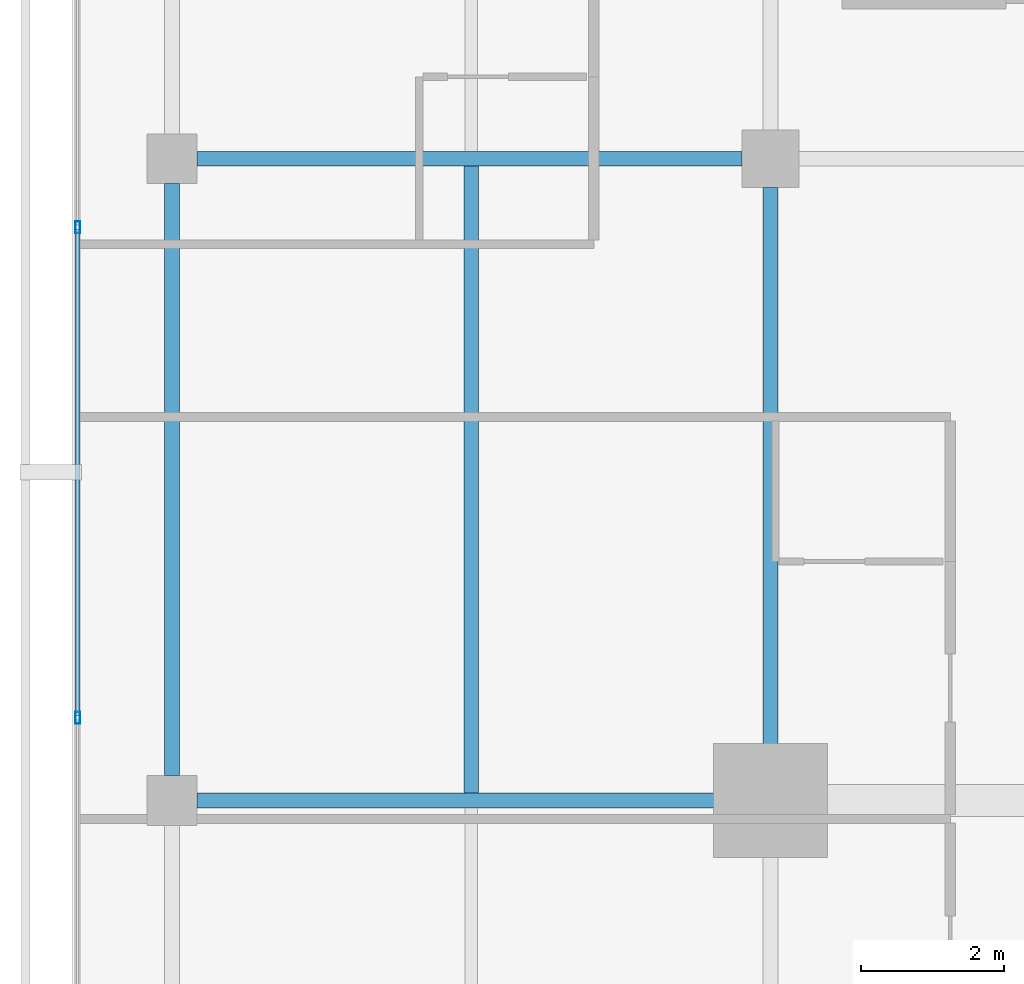
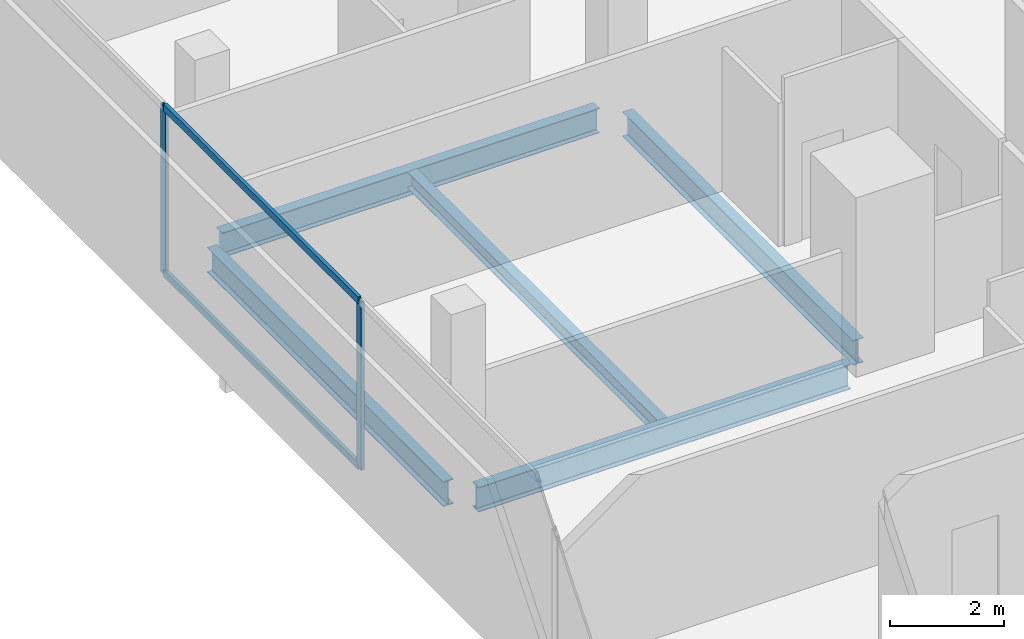
# One storey, part 8 of 26: 5 beams, 4 members, 1 element without a shape of its own.
"""IFC4 building model written with IfcOpenShell, lengths in metres."""

from ifc_helpers import new_model, si_unit, direction, frame, origin, origin_2d, place, context, subcontext, project, spatial, hollow_rectangle, i_section, extrude, material, layer, layer_set, material_profile, profile_set, type_object, element, aggregate, save


model = new_model("IFC4")

# Units and contexts
model_context = context("Model", 3, precision=1e-05, world=origin(), true_north=direction((0.0, 1.0)))
body_context = subcontext(model_context, "Body", "Model", "MODEL_VIEW")
ifc_project = project(units=[si_unit("LENGTHUNIT", "METRE"), si_unit("AREAUNIT", "SQUARE_METRE"), si_unit("VOLUMEUNIT", "CUBIC_METRE"), si_unit("PLANEANGLEUNIT", "RADIAN"), si_unit("MASSUNIT", "GRAM", prefix="KILO")], contexts=[model_context])

# Site, building, storey
site_placement = place(None, origin())
site = spatial("IfcSite", under=ifc_project, at=site_placement, CompositionType="ELEMENT")
building_placement = place(site_placement, origin())
building = spatial("IfcBuilding", under=site, at=building_placement, Name="Maruvema Waterfront Hotel and Observation Tower", CompositionType="ELEMENT")
storey_placement = place(building_placement, frame((0.0, 0.0, 243.25)))
storey = spatial("IfcBuildingStorey", under=building, at=storey_placement, Name="L59", CompositionType="ELEMENT", Elevation=243.25)

# Curtain wall, members
ifc_material_1 = material(Name="Anodised bronze aluminium and solar-control low-E IGU", Category="aluminium")
ifc_layer = layer(ifc_material_1, 0.159912109375, Name="Zone 3 Champagne Inner Thermal Curtain Wall System CW-04")
ifc_layer_set = layer_set([ifc_layer], Name="Anodised bronze aluminium and solar-control low-E IGU")
curtain_wall_type = type_object("IfcCurtainWallType", Name="Zone 3 Champagne Inner Thermal Curtain Wall System CW-04", PredefinedType="USERDEFINED", material=ifc_layer_set)
curtain_wall_placement = place(storey_placement, origin())
curtain_wall = element("IfcCurtainWall", 1, at=curtain_wall_placement, inside=storey, type_object=curtain_wall_type, Name="L59 Curtain Wall CW-L59-W", ObjectType="UNITISED CURTAIN WALL", PredefinedType="USERDEFINED")
ifc_material_2 = material(Name="Anodised architectural bronze aluminium", Category="aluminium")
ifc_material_profile_1 = material_profile(ifc_material_2, hollow_rectangle(XDim=0.070068359375, YDim=0.14990234375, WallThickness=0.00390625, at=origin_2d()), Name="ALU-T70x150")
ifc_profile_set_1 = profile_set([ifc_material_profile_1], Name="Anodised architectural bronze aluminium")
member_type_1 = type_object("IfcMemberType", Name="Curtain Wall Horizontal Transom ALU-T70x150", PredefinedType="USERDEFINED", material=ifc_profile_set_1)
member_1_placement = place(storey_placement, frame((15.47998046875, 35.010009765625, 0.030029296875), z_axis=(0.0, -1.0, 0.0), x_axis=(1.0, 0.0, 0.0)))
member_1 = element("IfcMember", 2, at=member_1_placement, type_object=member_type_1, Name="CW-04 transom 3.1", ObjectType="TRANSOM", PredefinedType="USERDEFINED", context=body_context, shape_type="SweptSolid", body=[
    extrude(hollow_rectangle(XDim=0.070068359375, YDim=0.14990234375, WallThickness=0.00390625, at=origin_2d()), origin(), (0.0, 0.0, 1.0), 6.820068359375),
])
member_2_placement = place(storey_placement, frame((15.47998046875, 35.010009765625, 3.580078125), z_axis=(0.0, -1.0, 0.0), x_axis=(1.0, 0.0, 0.0)))
member_2 = element("IfcMember", 3, at=member_2_placement, type_object=member_type_1, Name="CW-04 transom 3.2", ObjectType="TRANSOM", PredefinedType="USERDEFINED", context=body_context, shape_type="SweptSolid", body=[
    extrude(hollow_rectangle(XDim=0.070068359375, YDim=0.14990234375, WallThickness=0.00390625, at=origin_2d()), origin(), (0.0, 0.0, 1.0), 6.820068359375),
])
ifc_material_3 = material(Name="Anodised architectural bronze aluminium", Category="aluminium")
ifc_material_profile_2 = material_profile(ifc_material_3, hollow_rectangle(XDim=0.06494140625, YDim=0.1650390625, WallThickness=0.00390625, at=origin_2d()), Name="ALU-M65x165")
ifc_profile_set_2 = profile_set([ifc_material_profile_2], Name="Anodised architectural bronze aluminium")
member_type_2 = type_object("IfcMemberType", Name="Curtain Wall Primary Mullion ALU-M65x165", PredefinedType="MULLION", material=ifc_profile_set_2)
member_3_placement = place(storey_placement, frame((15.47998046875, 35.0400390625, 0.0), z_axis=(0.0, 0.0, 1.0), x_axis=(1.0, 0.0, 0.0)))
member_3 = element("IfcMember", 4, at=member_3_placement, type_object=member_type_2, Name="CW-04 mullion 3", PredefinedType="MULLION", context=body_context, shape_type="SweptSolid", body=[
    extrude(hollow_rectangle(XDim=0.06494140625, YDim=0.1650390625, WallThickness=0.00390625, at=origin_2d()), origin(), (0.0, 0.0, 1.0), 3.610107421875),
])
member_4_placement = place(storey_placement, frame((15.47998046875, 28.159912109375, 0.0), z_axis=(0.0, 0.0, 1.0), x_axis=(1.0, 0.0, 0.0)))
member_4 = element("IfcMember", 5, at=member_4_placement, type_object=member_type_2, Name="CW-04 mullion 4", PredefinedType="MULLION", context=body_context, shape_type="SweptSolid", body=[
    extrude(hollow_rectangle(XDim=0.06494140625, YDim=0.1650390625, WallThickness=0.00390625, at=origin_2d()), origin(), (0.0, 0.0, 1.0), 3.610107421875),
])
aggregate(curtain_wall, [member_3, member_4, member_1, member_2])

# Beams
ifc_material_4 = material(Name="Steel ASTM A572 Grade 50", Category="steel")
ifc_material_profile_3 = material_profile(ifc_material_4, i_section(OverallWidth=0.208984375, OverallDepth=0.532958984375, WebThickness=0.01025390625, FlangeThickness=0.015625, FilletRadius=0.014892578125, at=origin_2d()), Name="W530x92.0")
ifc_profile_set_3 = profile_set([ifc_material_profile_3], Name="Steel ASTM A572 Grade 50")
beam_type_1 = type_object("IfcBeamType", Name="Primary Floor Girder W530x92.0", PredefinedType="BEAM", material=ifc_profile_set_3)
beam_1_placement = place(storey_placement, frame((17.14990234375, 27.0, -0.506591796875), z_axis=(1.0, 0.0, 0.0), x_axis=(0.0, 1.0, 0.0)))
element("IfcBeam", 6, at=beam_1_placement, inside=storey, type_object=beam_type_1, Name="L59 Floor Girder EW-09", PredefinedType="BEAM", context=body_context, shape_type="SweptSolid", body=[
    extrude(i_section(OverallWidth=0.208984375, OverallDepth=0.532958984375, WebThickness=0.01025390625, FlangeThickness=0.015625, FilletRadius=0.014892578125, at=origin_2d()), origin(), (0.0, 0.0, 1.0), 7.550048828125),
])
beam_2_placement = place(storey_placement, frame((17.14990234375, 36.0, -0.506591796875), z_axis=(1.0, 0.0, 0.0), x_axis=(0.0, 1.0, 0.0)))
element("IfcBeam", 7, at=beam_2_placement, inside=storey, type_object=beam_type_1, Name="L59 Floor Girder EW-12", PredefinedType="BEAM", context=body_context, shape_type="SweptSolid", body=[
    extrude(i_section(OverallWidth=0.208984375, OverallDepth=0.532958984375, WebThickness=0.01025390625, FlangeThickness=0.015625, FilletRadius=0.014892578125, at=origin_2d()), origin(), (0.0, 0.0, 1.0), 7.650146484375),
])
beam_3_placement = place(storey_placement, frame((16.800048828125, 27.35009765625, -0.506591796875), z_axis=(0.0, 1.0, 0.0), x_axis=(-1.0, 0.0, 0.0)))
element("IfcBeam", 8, at=beam_3_placement, inside=storey, type_object=beam_type_1, Name="L59 Floor Girder NS-02", PredefinedType="BEAM", context=body_context, shape_type="SweptSolid", body=[
    extrude(i_section(OverallWidth=0.208984375, OverallDepth=0.532958984375, WebThickness=0.01025390625, FlangeThickness=0.015625, FilletRadius=0.014892578125, at=origin_2d()), origin(), (0.0, 0.0, 1.0), 8.2998046875),
])
beam_4_placement = place(storey_placement, frame((25.199951171875, 27.5, -0.506591796875), z_axis=(0.0, 1.0, 0.0), x_axis=(-1.0, 0.0, 0.0)))
element("IfcBeam", 9, at=beam_4_placement, inside=storey, type_object=beam_type_1, Name="L59 Floor Girder NS-06", PredefinedType="BEAM", context=body_context, shape_type="SweptSolid", body=[
    extrude(i_section(OverallWidth=0.208984375, OverallDepth=0.532958984375, WebThickness=0.01025390625, FlangeThickness=0.015625, FilletRadius=0.014892578125, at=origin_2d()), origin(), (0.0, 0.0, 1.0), 8.10009765625),
])
ifc_material_5 = material(Name="Steel ASTM A572 Grade 50", Category="steel")
ifc_material_profile_4 = material_profile(ifc_material_5, i_section(OverallWidth=0.202880859375, OverallDepth=0.346923828125, WebThickness=0.0078125, FlangeThickness=0.013427734375, FilletRadius=0.014892578125, at=origin_2d()), Name="W360x64.0")
ifc_profile_set_4 = profile_set([ifc_material_profile_4], Name="Steel ASTM A572 Grade 50")
beam_type_2 = type_object("IfcBeamType", Name="Secondary Floor Joist W360x64.0", PredefinedType="JOIST", material=ifc_profile_set_4)
beam_5_placement = place(storey_placement, frame((21.0, 27.1044921875, -0.41357421875), z_axis=(0.0, 1.0, 0.0), x_axis=(-1.0, 0.0, 0.0)))
element("IfcBeam", 10, at=beam_5_placement, inside=storey, type_object=beam_type_2, Name="L59 Secondary Floor Joist JS-02", PredefinedType="JOIST", context=body_context, shape_type="SweptSolid", body=[
    extrude(i_section(OverallWidth=0.202880859375, OverallDepth=0.346923828125, WebThickness=0.0078125, FlangeThickness=0.013427734375, FilletRadius=0.014892578125, at=origin_2d()), origin(), (0.0, 0.0, 1.0), 8.791015625),
])

save(model, "model.ifc")
